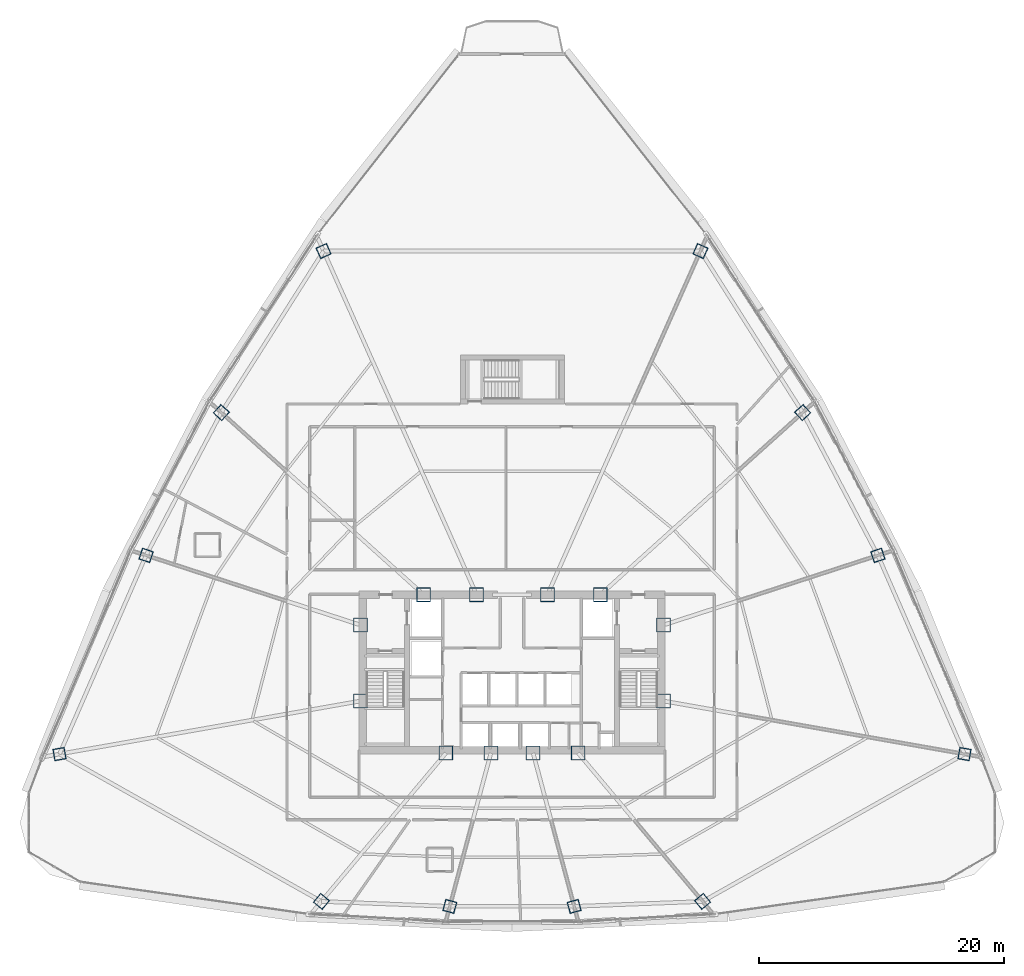
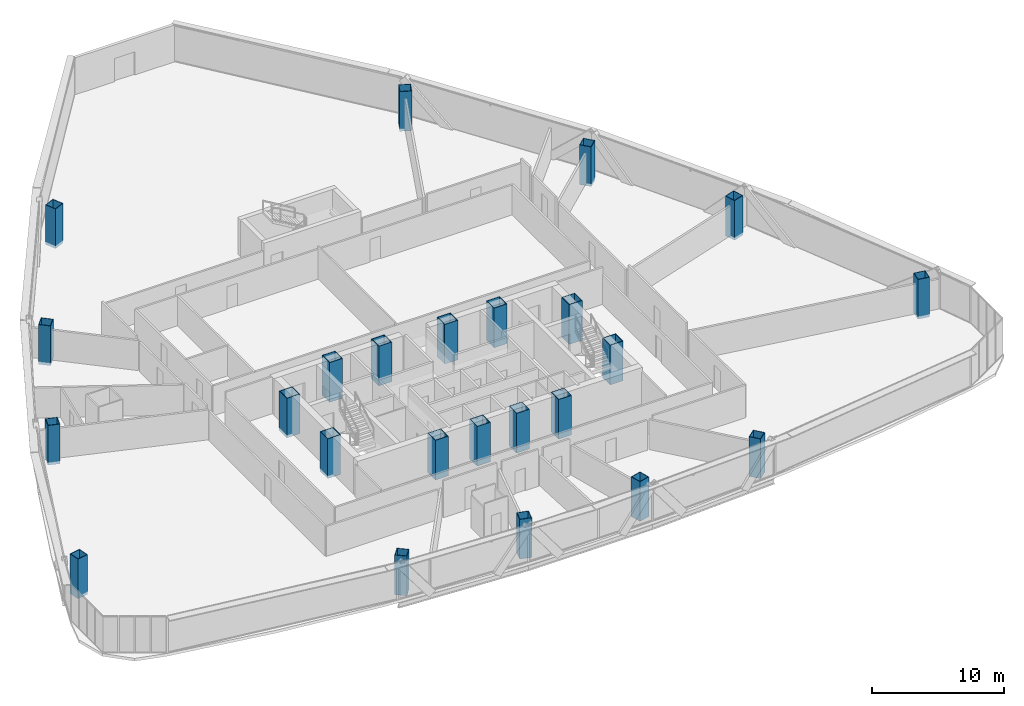
# One storey, part 1 of 41: 24 columns.
"""IFC4 building model written with IfcOpenShell, lengths in metres."""

import ifcopenshell
import ifcopenshell.guid

model = None  # the IFC model being written
_history = None  # IfcOwnerHistory: only IFC2X3 demands one
_inside = {}  # id of a spatial element -> (the spatial element, [elements in it])
_under = {}  # id of a project, library or spatial element -> (it, [spatial elements below it])
_declared = {}  # id of a project -> (the project, [libraries it declares])
_typed = {}  # id of a type object -> (the type object, [elements of that type])
_made_of = {}  # id of a material, layer set ... -> (it, [elements and type objects made of it])


def new_model(schema):
    """Start an empty IFC model of exactly this schema.

    Asked for "IFC4X3", IfcOpenShell would pick the latest addendum, in which some entities
    have other attributes; the version numbers below select the first issue.
    IFC2X3 requires an IfcOwnerHistory on every rooted entity: one is made here for all.
    """
    global model, _history
    if schema == "IFC4X3":
        model = ifcopenshell.file(schema_version=(4, 3, 0, 0))
    else:
        model = ifcopenshell.file(schema=schema)
    _inside.clear()
    _under.clear()
    _declared.clear()
    _typed.clear()
    _made_of.clear()
    _history = None
    if model.schema == "IFC2X3":
        org = make("IfcOrganization", Name="unknown")
        user = make(
            "IfcPersonAndOrganization",
            ThePerson=make("IfcPerson", FamilyName="unknown"),
            TheOrganization=org,
        )
        app = make(
            "IfcApplication",
            ApplicationDeveloper=org,
            Version="unknown",
            ApplicationFullName="unknown",
            ApplicationIdentifier="unknown",
        )
        _history = make(
            "IfcOwnerHistory",
            OwningUser=user,
            OwningApplication=app,
            ChangeAction="ADDED",
            CreationDate=0,
        )
    return model


def make(cls, **values):
    """One entity of the class cls with the attributes given. An attribute that is None is left unset."""
    return model.create_entity(
        cls, **{name: value for name, value in values.items() if value is not None}
    )


def rooted(cls, **values):
    """An entity with a GlobalId (a new one), such as an element, a storey or a relation."""
    return make(cls, GlobalId=ifcopenshell.guid.new(), OwnerHistory=_history, **values)


def si_unit(unit_type, name, prefix=None):
    """IfcSIUnit, for example si_unit("LENGTHUNIT", "METRE", prefix="MILLI")."""
    return make("IfcSIUnit", UnitType=unit_type, Prefix=prefix, Name=name)


def assignment(units):
    """IfcUnitAssignment: the units of a project."""
    return None if units is None else make("IfcUnitAssignment", Units=units)


def point(xyz):
    """IfcCartesianPoint."""
    return None if xyz is None else make("IfcCartesianPoint", Coordinates=xyz)


def direction(xyz):
    """IfcDirection."""
    return None if xyz is None else make("IfcDirection", DirectionRatios=xyz)


def frame(location, z_axis=None, x_axis=None):
    """IfcAxis2Placement3D, a coordinate frame: its origin and axes. An axis left out is left unset."""
    return make(
        "IfcAxis2Placement3D",
        Location=point(location),
        Axis=direction(z_axis),
        RefDirection=direction(x_axis),
    )


def frame_2d(location, x_axis=None):
    """IfcAxis2Placement2D, a coordinate frame in the plane: its origin and x axis."""
    return make(
        "IfcAxis2Placement2D", Location=point(location), RefDirection=direction(x_axis)
    )


def origin():
    """The frame at (0, 0, 0) with its axes left unset."""
    return frame((0.0, 0.0, 0.0))


def origin_2d():
    """The frame at (0, 0) in the plane with its x axis left unset."""
    return frame_2d((0.0, 0.0))


def place(relative_to, where):
    """IfcLocalPlacement: puts the frame where relative to a parent placement (None: the world)."""
    return make(
        "IfcLocalPlacement", PlacementRelTo=relative_to, RelativePlacement=where
    )


def context(
    kind, dimensions, precision=None, world=None, true_north=None, identifier=None
):
    """IfcGeometricRepresentationContext, for example the 3D "Model" context."""
    return make(
        "IfcGeometricRepresentationContext",
        ContextIdentifier=identifier,
        ContextType=kind,
        CoordinateSpaceDimension=dimensions,
        Precision=precision,
        WorldCoordinateSystem=world,
        TrueNorth=true_north,
    )


def subcontext(parent, identifier, kind, view, scale=None):
    """IfcGeometricRepresentationSubContext, for example "Body" below "Model"."""
    return make(
        "IfcGeometricRepresentationSubContext",
        ContextIdentifier=identifier,
        ContextType=kind,
        ParentContext=parent,
        TargetScale=scale,
        TargetView=view,
    )


def project(units=None, contexts=None):
    """IfcProject with its units and contexts."""
    return rooted(
        "IfcProject",
        Name="project",
        RepresentationContexts=contexts,
        UnitsInContext=assignment(units),
    )


def spatial(cls, under=None, at=None, **own):
    """A site, building, storey or space (cls), placed at a placement, below another one or the project."""
    s = rooted(cls, ObjectPlacement=at, **own)
    if under is not None:
        _under.setdefault(under.id(), (under, []))[1].append(s)
    return s


def profile(cls, at=None, kind="AREA", **sizes):
    """A parametric profile (cls). Its sizes go by their IFC names, for example OverallWidth=200.0."""
    return make(cls, ProfileType=kind, Position=at, **sizes)


def hollow_rectangle(**sizes):
    """IfcRectangleHollowProfileDef."""
    return profile("IfcRectangleHollowProfileDef", **sizes)


def extrude(swept, where, along, depth):
    """IfcExtrudedAreaSolid: the profile swept, set in the frame where, extruded along a direction by depth."""
    return make(
        "IfcExtrudedAreaSolid",
        SweptArea=swept,
        Position=where,
        ExtrudedDirection=direction(along),
        Depth=depth,
    )


def shape(context_of_items, identifier, shape_type, items):
    """IfcShapeRepresentation: the items that make up one representation, for example the "Body"."""
    return make(
        "IfcShapeRepresentation",
        ContextOfItems=context_of_items,
        RepresentationIdentifier=identifier,
        RepresentationType=shape_type,
        Items=items,
    )


def source(mapping_origin, context_of_items, identifier, shape_type, items):
    """IfcRepresentationMap: a shape defined once, which mapped items show again and again."""
    return make(
        "IfcRepresentationMap",
        MappingOrigin=mapping_origin,
        MappedRepresentation=shape(context_of_items, identifier, shape_type, items),
    )


def transform(
    local_origin,
    x_axis=None,
    y_axis=None,
    z_axis=None,
    scale=None,
    scale2=None,
    scale3=None,
    uniform=True,
):
    """IfcCartesianTransformationOperator3D, or its non-uniform kind. x_axis, y_axis, z_axis: its Axis1, 2, 3."""
    if uniform:
        return make(
            "IfcCartesianTransformationOperator3D",
            Axis1=direction(x_axis),
            Axis2=direction(y_axis),
            LocalOrigin=point(local_origin),
            Scale=scale,
            Axis3=direction(z_axis),
        )
    return make(
        "IfcCartesianTransformationOperator3DnonUniform",
        Axis1=direction(x_axis),
        Axis2=direction(y_axis),
        LocalOrigin=point(local_origin),
        Scale=scale,
        Axis3=direction(z_axis),
        Scale2=scale2,
        Scale3=scale3,
    )


def mapped(mapping_source, mapping_target):
    """IfcMappedItem: shows the shape of a source again, moved by a transform."""
    return make(
        "IfcMappedItem", MappingSource=mapping_source, MappingTarget=mapping_target
    )


def material(Name=None, Category=None):
    """IfcMaterial."""
    return make("IfcMaterial", Name=Name, Category=Category)


def material_profile(
    of_material, cross_section, Name=None, Category=None, Priority=None
):
    """IfcMaterialProfile: a cross section and its material."""
    return make(
        "IfcMaterialProfile",
        Name=Name,
        Material=of_material,
        Profile=cross_section,
        Priority=Priority,
        Category=Category,
    )


def profile_set(profiles, Name=None, composite=None):
    """IfcMaterialProfileSet."""
    return make(
        "IfcMaterialProfileSet",
        Name=Name,
        MaterialProfiles=profiles,
        CompositeProfile=composite,
    )


def made_of(thing, what):
    """Note that an element or type object is made of a material, layer set ...; save() writes the relation."""
    if what is not None:
        _made_of.setdefault(what.id(), (what, []))[1].append(thing)
    return thing


def type_object(cls, material=None, **own):
    """A type object (cls), such as IfcWallType, which elements share."""
    return made_of(rooted(cls, **own), material)


def element(
    cls,
    number,
    at=None,
    inside=None,
    cuts=None,
    type_object=None,
    material=None,
    context=None,
    identifier="Body",
    shape_type=None,
    held_by="IfcProductDefinitionShape",
    body=None,
    shapes=None,
    **own,
):
    """One element of the class cls, such as IfcWall. Its Tag is "e" and its number.

    at: its placement. inside: the storey or other place that contains it. cuts: it is an
    opening in that element (IfcRelVoidsElement). A single representation is given by context,
    identifier, shape_type and body (its items); several are given by shapes. held_by: the class
    of the entity that holds the representations. save() writes the other relations.
    """
    e = rooted(cls, Tag="e%d" % number, ObjectPlacement=at, **own)
    if body is not None:
        shapes = [shape(context, identifier, shape_type, body)]
    if shapes is not None:
        e.Representation = make(held_by, Representations=shapes)
    if inside is not None:
        _inside.setdefault(inside.id(), (inside, []))[1].append(e)
    if cuts is not None:
        rooted(
            "IfcRelVoidsElement", RelatingBuildingElement=cuts, RelatedOpeningElement=e
        )
    if type_object is not None:
        _typed.setdefault(type_object.id(), (type_object, []))[1].append(e)
    return made_of(e, material)


def aggregate(whole, parts):
    """IfcRelAggregates: a whole, such as a stair, and the parts it consists of."""
    return rooted("IfcRelAggregates", RelatingObject=whole, RelatedObjects=parts)


def save(model, path):
    """Write the relations noted so far, then the file.

    IfcRelAggregates (storeys below a building ...), IfcRelContainedInSpatialStructure (elements
    in a storey), IfcRelDefinesByType, IfcRelAssociatesMaterial and IfcRelDeclares: one each for
    every whole, place, type object, material and project.
    """
    for whole, parts in _under.values():
        aggregate(whole, parts)
    for where, things in _inside.values():
        rooted(
            "IfcRelContainedInSpatialStructure",
            RelatedElements=things,
            RelatingStructure=where,
        )
    for kind, things in _typed.values():
        rooted("IfcRelDefinesByType", RelatedObjects=things, RelatingType=kind)
    for what, things in _made_of.values():
        rooted("IfcRelAssociatesMaterial", RelatedObjects=things, RelatingMaterial=what)
    for by, libraries in _declared.values():
        rooted("IfcRelDeclares", RelatingContext=by, RelatedDefinitions=libraries)
    model.write(path)


model = new_model("IFC4")

# Units and contexts
model_context = context("Model", 3, precision=1e-05, world=origin(), true_north=direction((0.0, 1.0)))
body_context = subcontext(model_context, "Body", "Model", "MODEL_VIEW")
ifc_project = project(units=[si_unit("LENGTHUNIT", "METRE"), si_unit("AREAUNIT", "SQUARE_METRE"), si_unit("VOLUMEUNIT", "CUBIC_METRE"), si_unit("PLANEANGLEUNIT", "RADIAN"), si_unit("MASSUNIT", "GRAM", prefix="KILO"), si_unit("THERMODYNAMICTEMPERATUREUNIT", "KELVIN"), si_unit("POWERUNIT", "WATT")], contexts=[model_context])

# Site, building, storey
site_placement = place(None, origin())
site = spatial("IfcSite", under=ifc_project, at=site_placement, CompositionType="ELEMENT")
building_placement = place(site_placement, origin())
building = spatial("IfcBuilding", under=site, at=building_placement, Name="Yunzhuo Pagoda Commons", CompositionType="ELEMENT")
storey_placement = place(building_placement, frame((0.0, 0.0, 155.590087890625)))
storey = spatial("IfcBuildingStorey", under=building, at=storey_placement, Name="L39", CompositionType="ELEMENT", Elevation=155.590087890625)

# Columns
ifc_material = material(Name="Structural steel Q420B", Category="steel")
ifc_material_profile_1 = material_profile(ifc_material, hollow_rectangle(XDim=1.14990234375, YDim=1.14990234375, WallThickness=0.048095703125, at=origin_2d()), Name="Structural steel Q420B")
ifc_profile_set_1 = profile_set([ifc_material_profile_1], Name="Structural steel Q420B")
column_type_1 = type_object("IfcColumnType", Name="C-COR Column BOX 1150x1150x48", PredefinedType="COLUMN", material=ifc_profile_set_1)
shared_shape_1 = source(origin(), body_context, "Body", "SweptSolid", [
    extrude(hollow_rectangle(XDim=1.14990234375, YDim=1.14990234375, WallThickness=0.048095703125, at=origin_2d()), origin(), (0.0, 0.0, 1.0), 3.679931640625),
])
for number, where, z_axis, x_axis, name in (
    (1, (42.587890625, 27.25, -0.260009765625), (0.0, 0.0, 1.0), (1.0, 0.0, 0.0), "L39 core composite column F1C1"),
    (2, (46.27197265625, 27.25, -0.260009765625), (0.0, 0.0, 1.0), (1.0, 0.0, 0.0), "L39 core composite column F1C2"),
    (3, (49.728515625, 27.25, -0.260009765625), (0.0, 0.0, 1.0), (1.0, 0.0, 0.0), "L39 core composite column F1C3"),
    (4, (53.412109375, 27.25, -0.260009765625), (0.0, 0.0, 1.0), (1.0, 0.0, 0.0), "L39 core composite column F1C4"),
    (5, (60.39990234375, 31.513427734375, -0.260009765625), (0.0, 0.0, 1.0), (1.0, 0.0, 0.0), "L39 core composite column F2C1"),
    (6, (60.39990234375, 37.72900390625, -0.260009765625), (0.0, 0.0, 1.0), (1.0, 0.0, 0.0), "L39 core composite column F2C2"),
    (7, (55.218994140625, 40.199951171875, -0.260009765625), (0.0, 0.0, 1.0), (1.0, 0.0, 0.0), "L39 core composite column F2C3"),
    (8, (50.89404296875, 40.199951171875, -0.260009765625), (0.0, 0.0, 1.0), (1.0, 0.0, 0.0), "L39 core composite column F2C4"),
    (9, (45.10595703125, 40.199951171875, -0.260009765625), (0.0, 0.0, 1.0), (1.0, 0.0, 0.0), "L39 core composite column F3C1"),
    (10, (40.781005859375, 40.199951171875, -0.260009765625), (0.0, 0.0, 1.0), (1.0, 0.0, 0.0), "L39 core composite column F3C2"),
    (11, (35.60009765625, 37.72900390625, -0.260009765625), (0.0, 0.0, 1.0), (1.0, 0.0, 0.0), "L39 core composite column F3C3"),
    (12, (35.60009765625, 31.513427734375, -0.260009765625), (0.0, 0.0, 1.0), (1.0, 0.0, 0.0), "L39 core composite column F3C4"),
):
    element("IfcColumn", number, at=place(storey_placement, frame(where, z_axis=z_axis, x_axis=x_axis)), inside=storey, type_object=column_type_1, Name=name, PredefinedType="COLUMN", context=body_context, shape_type="MappedRepresentation", body=[
        mapped(shared_shape_1, transform((0.0, 0.0, 0.0), scale=1.0)),
    ])
ifc_material_profile_2 = material_profile(ifc_material, hollow_rectangle(XDim=0.949951171875, YDim=0.949951171875, WallThickness=0.0400390625, at=origin_2d()), Name="Structural steel Q420B")
ifc_profile_set_2 = profile_set([ifc_material_profile_2], Name="Structural steel Q420B")
column_type_2 = type_object("IfcColumnType", Name="C-Z3 Column BOX 950x950x40", PredefinedType="COLUMN", material=ifc_profile_set_2)
shared_shape_2 = source(origin(), body_context, "Body", "SweptSolid", [
    extrude(hollow_rectangle(XDim=0.949951171875, YDim=0.949951171875, WallThickness=0.0400390625, at=origin_2d()), origin(), (0.0, 0.0, 1.0), 3.679931640625),
])
for number, where, z_axis, x_axis, name in (
    (13, (32.414794921875, 15.126220703125, -0.260009765625), (0.0, 0.0, 1.0), (0.766044443119, -0.642787609687, 0.0), "L39 tower column F1C1"),
    (14, (42.914794921875, 14.7216796875, -0.260009765625), (0.0, 0.0, 1.0), (0.965925826289, -0.258819045103, 0.0), "L39 tower column F1C2"),
    (15, (53.085205078125, 14.7216796875, -0.260009765625), (0.0, 0.0, 1.0), (0.965925826289, 0.258819045103, 0.0), "L39 tower column F1C3"),
    (16, (63.585205078125, 15.126220703125, -0.260009765625), (0.0, 0.0, 1.0), (0.766044443119, 0.642787609687, 0.0), "L39 tower column F1C4"),
    (17, (84.9970703125, 27.176513671875, -0.260009765625), (0.0, 0.0, 1.0), (0.173648177667, 0.984807753012, 0.0), "L39 tower column F2C1"),
    (18, (77.915283203125, 43.420166015625, -0.260009765625), (0.0, 0.0, 1.0), (-0.309016994375, 0.951056516295, 0.0), "L39 tower column F2C2"),
    (19, (71.76611328125, 55.09912109375, -0.260009765625), (0.0, 0.0, 1.0), (-0.669130606359, 0.743144825477, 0.0), "L39 tower column F2C3"),
    (20, (63.406005859375, 68.302734375, -0.260009765625), (0.0, 0.0, 1.0), (-0.913545457643, 0.406736643076, 0.0), "L39 tower column F2C4"),
    (21, (32.593994140625, 68.302734375, -0.260009765625), (0.0, 0.0, 1.0), (-0.913545457643, -0.406736643076, 0.0), "L39 tower column F3C1"),
    (22, (24.23388671875, 55.09912109375, -0.260009765625), (0.0, 0.0, 1.0), (-0.669130606359, -0.743144825477, 0.0), "L39 tower column F3C2"),
    (23, (18.084716796875, 43.420166015625, -0.260009765625), (0.0, 0.0, 1.0), (-0.309016994375, -0.951056516295, 0.0), "L39 tower column F3C3"),
    (24, (11.0029296875, 27.176513671875, -0.260009765625), (0.0, 0.0, 1.0), (0.173648177667, -0.984807753012, 0.0), "L39 tower column F3C4"),
):
    element("IfcColumn", number, at=place(storey_placement, frame(where, z_axis=z_axis, x_axis=x_axis)), inside=storey, type_object=column_type_2, Name=name, PredefinedType="COLUMN", context=body_context, shape_type="MappedRepresentation", body=[
        mapped(shared_shape_2, transform((0.0, 0.0, 0.0), scale=1.0)),
    ])

save(model, "model.ifc")
